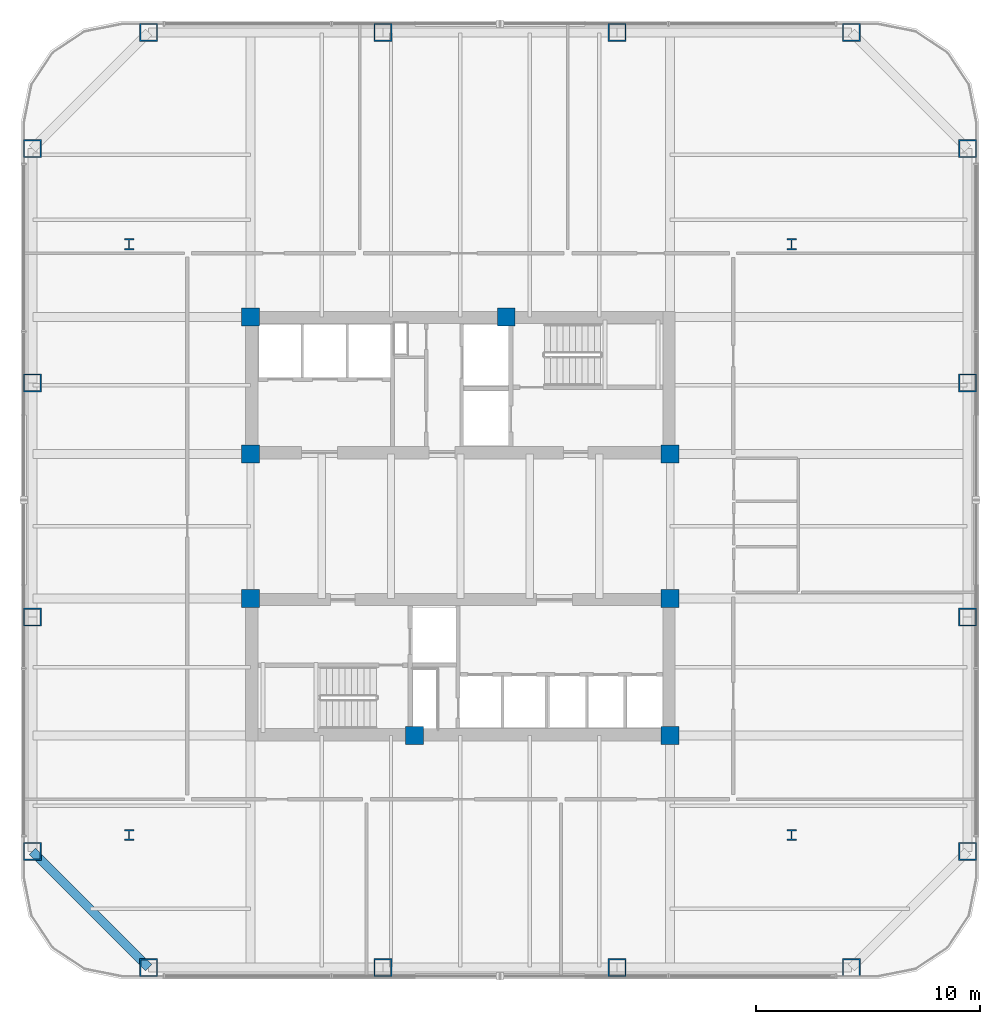
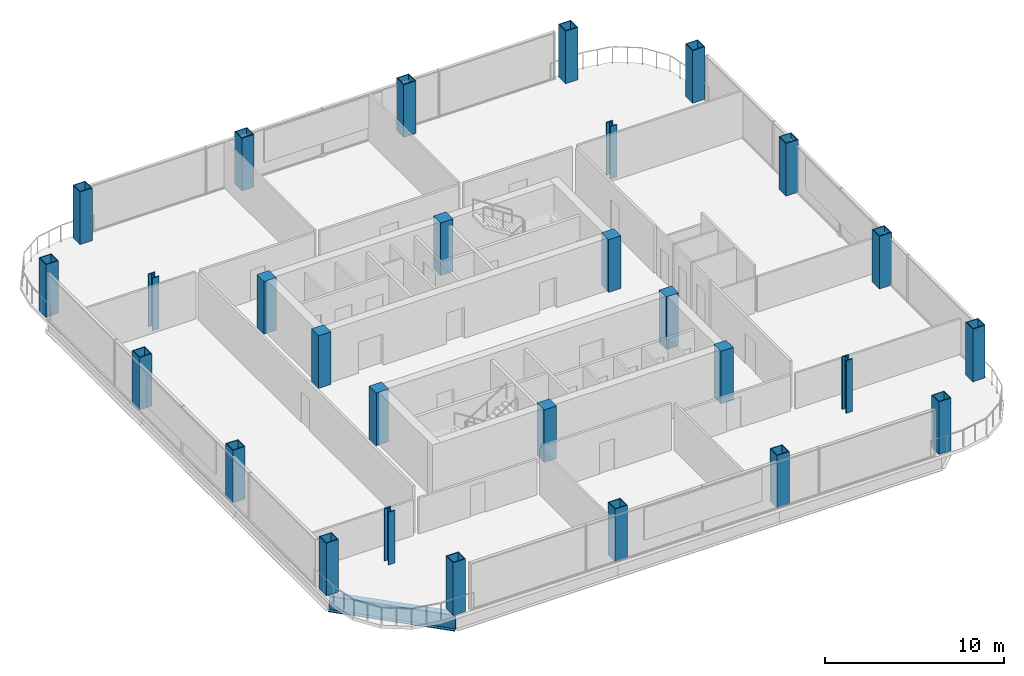
# One storey, part 1 of 24: 28 columns, 1 beam.
"""IFC4 building model written with IfcOpenShell, lengths in metres."""

import ifcopenshell
import ifcopenshell.guid

model = None  # the IFC model being written
_history = None  # IfcOwnerHistory: only IFC2X3 demands one
_inside = {}  # id of a spatial element -> (the spatial element, [elements in it])
_under = {}  # id of a project, library or spatial element -> (it, [spatial elements below it])
_declared = {}  # id of a project -> (the project, [libraries it declares])
_typed = {}  # id of a type object -> (the type object, [elements of that type])
_made_of = {}  # id of a material, layer set ... -> (it, [elements and type objects made of it])


def new_model(schema):
    """Start an empty IFC model of exactly this schema.

    Asked for "IFC4X3", IfcOpenShell would pick the latest addendum, in which some entities
    have other attributes; the version numbers below select the first issue.
    IFC2X3 requires an IfcOwnerHistory on every rooted entity: one is made here for all.
    """
    global model, _history
    if schema == "IFC4X3":
        model = ifcopenshell.file(schema_version=(4, 3, 0, 0))
    else:
        model = ifcopenshell.file(schema=schema)
    _inside.clear()
    _under.clear()
    _declared.clear()
    _typed.clear()
    _made_of.clear()
    _history = None
    if model.schema == "IFC2X3":
        org = make("IfcOrganization", Name="unknown")
        user = make(
            "IfcPersonAndOrganization",
            ThePerson=make("IfcPerson", FamilyName="unknown"),
            TheOrganization=org,
        )
        app = make(
            "IfcApplication",
            ApplicationDeveloper=org,
            Version="unknown",
            ApplicationFullName="unknown",
            ApplicationIdentifier="unknown",
        )
        _history = make(
            "IfcOwnerHistory",
            OwningUser=user,
            OwningApplication=app,
            ChangeAction="ADDED",
            CreationDate=0,
        )
    return model


def make(cls, **values):
    """One entity of the class cls with the attributes given. An attribute that is None is left unset."""
    return model.create_entity(
        cls, **{name: value for name, value in values.items() if value is not None}
    )


def rooted(cls, **values):
    """An entity with a GlobalId (a new one), such as an element, a storey or a relation."""
    return make(cls, GlobalId=ifcopenshell.guid.new(), OwnerHistory=_history, **values)


def si_unit(unit_type, name, prefix=None):
    """IfcSIUnit, for example si_unit("LENGTHUNIT", "METRE", prefix="MILLI")."""
    return make("IfcSIUnit", UnitType=unit_type, Prefix=prefix, Name=name)


def assignment(units):
    """IfcUnitAssignment: the units of a project."""
    return None if units is None else make("IfcUnitAssignment", Units=units)


def point(xyz):
    """IfcCartesianPoint."""
    return None if xyz is None else make("IfcCartesianPoint", Coordinates=xyz)


def direction(xyz):
    """IfcDirection."""
    return None if xyz is None else make("IfcDirection", DirectionRatios=xyz)


def frame(location, z_axis=None, x_axis=None):
    """IfcAxis2Placement3D, a coordinate frame: its origin and axes. An axis left out is left unset."""
    return make(
        "IfcAxis2Placement3D",
        Location=point(location),
        Axis=direction(z_axis),
        RefDirection=direction(x_axis),
    )


def frame_2d(location, x_axis=None):
    """IfcAxis2Placement2D, a coordinate frame in the plane: its origin and x axis."""
    return make(
        "IfcAxis2Placement2D", Location=point(location), RefDirection=direction(x_axis)
    )


def origin():
    """The frame at (0, 0, 0) with its axes left unset."""
    return frame((0.0, 0.0, 0.0))


def origin_2d():
    """The frame at (0, 0) in the plane with its x axis left unset."""
    return frame_2d((0.0, 0.0))


def place(relative_to, where):
    """IfcLocalPlacement: puts the frame where relative to a parent placement (None: the world)."""
    return make(
        "IfcLocalPlacement", PlacementRelTo=relative_to, RelativePlacement=where
    )


def context(
    kind, dimensions, precision=None, world=None, true_north=None, identifier=None
):
    """IfcGeometricRepresentationContext, for example the 3D "Model" context."""
    return make(
        "IfcGeometricRepresentationContext",
        ContextIdentifier=identifier,
        ContextType=kind,
        CoordinateSpaceDimension=dimensions,
        Precision=precision,
        WorldCoordinateSystem=world,
        TrueNorth=true_north,
    )


def subcontext(parent, identifier, kind, view, scale=None):
    """IfcGeometricRepresentationSubContext, for example "Body" below "Model"."""
    return make(
        "IfcGeometricRepresentationSubContext",
        ContextIdentifier=identifier,
        ContextType=kind,
        ParentContext=parent,
        TargetScale=scale,
        TargetView=view,
    )


def project(units=None, contexts=None):
    """IfcProject with its units and contexts."""
    return rooted(
        "IfcProject",
        Name="project",
        RepresentationContexts=contexts,
        UnitsInContext=assignment(units),
    )


def spatial(cls, under=None, at=None, **own):
    """A site, building, storey or space (cls), placed at a placement, below another one or the project."""
    s = rooted(cls, ObjectPlacement=at, **own)
    if under is not None:
        _under.setdefault(under.id(), (under, []))[1].append(s)
    return s


def profile(cls, at=None, kind="AREA", **sizes):
    """A parametric profile (cls). Its sizes go by their IFC names, for example OverallWidth=200.0."""
    return make(cls, ProfileType=kind, Position=at, **sizes)


def rectangle(**sizes):
    """IfcRectangleProfileDef."""
    return profile("IfcRectangleProfileDef", **sizes)


def hollow_rectangle(**sizes):
    """IfcRectangleHollowProfileDef."""
    return profile("IfcRectangleHollowProfileDef", **sizes)


def i_section(**sizes):
    """IfcIShapeProfileDef."""
    return profile("IfcIShapeProfileDef", **sizes)


def extrude(swept, where, along, depth):
    """IfcExtrudedAreaSolid: the profile swept, set in the frame where, extruded along a direction by depth."""
    return make(
        "IfcExtrudedAreaSolid",
        SweptArea=swept,
        Position=where,
        ExtrudedDirection=direction(along),
        Depth=depth,
    )


def shape(context_of_items, identifier, shape_type, items):
    """IfcShapeRepresentation: the items that make up one representation, for example the "Body"."""
    return make(
        "IfcShapeRepresentation",
        ContextOfItems=context_of_items,
        RepresentationIdentifier=identifier,
        RepresentationType=shape_type,
        Items=items,
    )


def material(Name=None, Category=None):
    """IfcMaterial."""
    return make("IfcMaterial", Name=Name, Category=Category)


def material_profile(
    of_material, cross_section, Name=None, Category=None, Priority=None
):
    """IfcMaterialProfile: a cross section and its material."""
    return make(
        "IfcMaterialProfile",
        Name=Name,
        Material=of_material,
        Profile=cross_section,
        Priority=Priority,
        Category=Category,
    )


def profile_set(profiles, Name=None, composite=None):
    """IfcMaterialProfileSet."""
    return make(
        "IfcMaterialProfileSet",
        Name=Name,
        MaterialProfiles=profiles,
        CompositeProfile=composite,
    )


def made_of(thing, what):
    """Note that an element or type object is made of a material, layer set ...; save() writes the relation."""
    if what is not None:
        _made_of.setdefault(what.id(), (what, []))[1].append(thing)
    return thing


def type_object(cls, material=None, **own):
    """A type object (cls), such as IfcWallType, which elements share."""
    return made_of(rooted(cls, **own), material)


def element(
    cls,
    number,
    at=None,
    inside=None,
    cuts=None,
    type_object=None,
    material=None,
    context=None,
    identifier="Body",
    shape_type=None,
    held_by="IfcProductDefinitionShape",
    body=None,
    shapes=None,
    **own,
):
    """One element of the class cls, such as IfcWall. Its Tag is "e" and its number.

    at: its placement. inside: the storey or other place that contains it. cuts: it is an
    opening in that element (IfcRelVoidsElement). A single representation is given by context,
    identifier, shape_type and body (its items); several are given by shapes. held_by: the class
    of the entity that holds the representations. save() writes the other relations.
    """
    e = rooted(cls, Tag="e%d" % number, ObjectPlacement=at, **own)
    if body is not None:
        shapes = [shape(context, identifier, shape_type, body)]
    if shapes is not None:
        e.Representation = make(held_by, Representations=shapes)
    if inside is not None:
        _inside.setdefault(inside.id(), (inside, []))[1].append(e)
    if cuts is not None:
        rooted(
            "IfcRelVoidsElement", RelatingBuildingElement=cuts, RelatedOpeningElement=e
        )
    if type_object is not None:
        _typed.setdefault(type_object.id(), (type_object, []))[1].append(e)
    return made_of(e, material)


def aggregate(whole, parts):
    """IfcRelAggregates: a whole, such as a stair, and the parts it consists of."""
    return rooted("IfcRelAggregates", RelatingObject=whole, RelatedObjects=parts)


def save(model, path):
    """Write the relations noted so far, then the file.

    IfcRelAggregates (storeys below a building ...), IfcRelContainedInSpatialStructure (elements
    in a storey), IfcRelDefinesByType, IfcRelAssociatesMaterial and IfcRelDeclares: one each for
    every whole, place, type object, material and project.
    """
    for whole, parts in _under.values():
        aggregate(whole, parts)
    for where, things in _inside.values():
        rooted(
            "IfcRelContainedInSpatialStructure",
            RelatedElements=things,
            RelatingStructure=where,
        )
    for kind, things in _typed.values():
        rooted("IfcRelDefinesByType", RelatedObjects=things, RelatingType=kind)
    for what, things in _made_of.values():
        rooted("IfcRelAssociatesMaterial", RelatedObjects=things, RelatingMaterial=what)
    for by, libraries in _declared.values():
        rooted("IfcRelDeclares", RelatingContext=by, RelatedDefinitions=libraries)
    model.write(path)


model = new_model("IFC4")

# Units and contexts
model_context = context("Model", 3, precision=1e-05, world=origin(), true_north=direction((0.0, 1.0)))
body_context = subcontext(model_context, "Body", "Model", "MODEL_VIEW")
ifc_project = project(units=[si_unit("LENGTHUNIT", "METRE"), si_unit("AREAUNIT", "SQUARE_METRE"), si_unit("VOLUMEUNIT", "CUBIC_METRE"), si_unit("PLANEANGLEUNIT", "RADIAN"), si_unit("MASSUNIT", "GRAM", prefix="KILO")], contexts=[model_context])

# Site, building, storey
site_placement = place(None, origin())
site = spatial("IfcSite", under=ifc_project, at=site_placement, CompositionType="ELEMENT")
building_placement = place(site_placement, origin())
building = spatial("IfcBuilding", under=site, at=building_placement, Name="Qhalaya Broadcast Tower", CompositionType="ELEMENT")
storey_placement = place(building_placement, frame((0.0, 0.0, 61.5)))
storey = spatial("IfcBuildingStorey", under=building, at=storey_placement, Name="L17", CompositionType="ELEMENT", Elevation=61.5)

# Columns
ifc_material_1 = material(Name="Concrete C50/60", Category="concrete")
ifc_material_profile_1 = material_profile(ifc_material_1, rectangle(XDim=0.800048828125, YDim=0.800048828125, at=origin_2d()), Name="RC-COL 800x800")
ifc_profile_set_1 = profile_set([ifc_material_profile_1], Name="Concrete C50/60")
column_type_1 = type_object("IfcColumnType", Name="RC Upper Column C10", PredefinedType="COLUMN", material=ifc_profile_set_1)
for number, where, z_axis, x_axis, name in (
    (1, (-9.375, 9.949951171875, 0.0), (0.0, 0.0, 1.0), (1.0, 0.0, 0.0), "L17 Column COL-CC1"),
    (2, (2.050048828125, 9.949951171875, 0.0), (0.0, 0.0, 1.0), (1.0, 0.0, 0.0), "L17 Column COL-CC2"),
    (3, (-9.375, 3.824951171875, 0.0), (0.0, 0.0, 1.0), (1.0, 0.0, 0.0), "L17 Column COL-CC3"),
    (4, (9.375, 3.824951171875, 0.0), (0.0, 0.0, 1.0), (1.0, 0.0, 0.0), "L17 Column COL-CC4"),
    (5, (-9.375, -2.625, 0.0), (0.0, 0.0, 1.0), (1.0, 0.0, 0.0), "L17 Column COL-CC5"),
    (6, (9.375, -2.625, 0.0), (0.0, 0.0, 1.0), (1.0, 0.0, 0.0), "L17 Column COL-CC6"),
    (7, (-2.050048828125, -8.75, 0.0), (0.0, 0.0, 1.0), (1.0, 0.0, 0.0), "L17 Column COL-CC7"),
    (8, (9.375, -8.75, 0.0), (0.0, 0.0, 1.0), (1.0, 0.0, 0.0), "L17 Column COL-CC8"),
):
    element("IfcColumn", number, at=place(storey_placement, frame(where, z_axis=z_axis, x_axis=x_axis)), inside=storey, type_object=column_type_1, Name=name, PredefinedType="COLUMN", context=body_context, shape_type="SweptSolid", body=[
        extrude(rectangle(XDim=0.800048828125, YDim=0.800048828125, at=origin_2d()), origin(), (0.0, 0.0, 1.0), 3.60009765625),
    ])
ifc_material_2 = material(Name="Structural Steel ASTM A992 Grade 50", Category="steel")
ifc_material_profile_2 = material_profile(ifc_material_2, i_section(OverallWidth=0.41796875, OverallDepth=0.510009765625, WebThickness=0.0419921875, FlangeThickness=0.067626953125, at=origin_2d()), Name="W14X370")
ifc_profile_set_2 = profile_set([ifc_material_profile_2], Name="Structural Steel ASTM A992 Grade 50")
column_type_2 = type_object("IfcColumnType", Name="Rolled Gravity Column C06", PredefinedType="COLUMN", material=ifc_profile_set_2)
for number, where, z_axis, x_axis, name in (
    (9, (-14.800048828125, -13.199951171875, 0.0), (0.0, 0.0, 1.0), (1.0, 0.0, 0.0), "L17 Column COL-GR1"),
    (10, (14.800048828125, -13.199951171875, 0.0), (0.0, 0.0, 1.0), (1.0, 0.0, 0.0), "L17 Column COL-GR2"),
    (11, (-14.800048828125, 13.199951171875, 0.0), (0.0, 0.0, 1.0), (1.0, 0.0, 0.0), "L17 Column COL-GR3"),
    (12, (14.800048828125, 13.199951171875, 0.0), (0.0, 0.0, 1.0), (1.0, 0.0, 0.0), "L17 Column COL-GR4"),
):
    element("IfcColumn", number, at=place(storey_placement, frame(where, z_axis=z_axis, x_axis=x_axis)), inside=storey, type_object=column_type_2, Name=name, PredefinedType="COLUMN", context=body_context, shape_type="SweptSolid", body=[
        extrude(i_section(OverallWidth=0.41796875, OverallDepth=0.510009765625, WebThickness=0.0419921875, FlangeThickness=0.067626953125, at=origin_2d()), origin(), (0.0, 0.0, 1.0), 3.60009765625),
    ])
ifc_material_3 = material(Name="Structural Steel ASTM A572 Grade 50", Category="steel")
ifc_material_profile_3 = material_profile(ifc_material_3, hollow_rectangle(XDim=0.800048828125, YDim=0.800048828125, WallThickness=0.050048828125, at=origin_2d()), Name="BOX 800x800x50")
ifc_profile_set_3 = profile_set([ifc_material_profile_3], Name="Structural Steel ASTM A572 Grade 50")
column_type_3 = type_object("IfcColumnType", Name="Steel Box Column C03", PredefinedType="COLUMN", material=ifc_profile_set_3)
for number, where, z_axis, x_axis, name in (
    (13, (-13.929931640625, -19.1298828125, 0.0), (0.0, 0.0, 1.0), (1.0, 0.0, 0.0), "L17 Column COL-NK01"),
    (14, (-3.46337890625, -19.1298828125, 0.0), (0.0, 0.0, 1.0), (1.0, 0.0, 0.0), "L17 Column COL-NK02"),
    (15, (7.00341796875, -19.1298828125, 0.0), (0.0, 0.0, 1.0), (1.0, 0.0, 0.0), "L17 Column COL-NK03"),
    (16, (17.469970703125, -19.1298828125, 0.0), (0.0, 0.0, 1.0), (1.0, 0.0, 0.0), "L17 Column COL-NK04"),
    (17, (22.669921875, -13.929931640625, 0.0), (0.0, 0.0, 1.0), (0.0, 1.0, 0.0), "L17 Column COL-NK05"),
    (18, (22.669921875, -3.46337890625, 0.0), (0.0, 0.0, 1.0), (0.0, 1.0, 0.0), "L17 Column COL-NK06"),
    (19, (22.669921875, 7.00341796875, 0.0), (0.0, 0.0, 1.0), (0.0, 1.0, 0.0), "L17 Column COL-NK07"),
    (20, (22.669921875, 17.469970703125, 0.0), (0.0, 0.0, 1.0), (0.0, 1.0, 0.0), "L17 Column COL-NK08"),
    (21, (17.469970703125, 22.669921875, 0.0), (0.0, 0.0, 1.0), (1.0, 0.0, 0.0), "L17 Column COL-NK09"),
    (22, (7.00341796875, 22.669921875, 0.0), (0.0, 0.0, 1.0), (1.0, 0.0, 0.0), "L17 Column COL-NK10"),
    (23, (-3.46337890625, 22.669921875, 0.0), (0.0, 0.0, 1.0), (1.0, 0.0, 0.0), "L17 Column COL-NK11"),
    (24, (-13.929931640625, 22.669921875, 0.0), (0.0, 0.0, 1.0), (1.0, 0.0, 0.0), "L17 Column COL-NK12"),
    (25, (-19.1298828125, 17.469970703125, 0.0), (0.0, 0.0, 1.0), (0.0, 1.0, 0.0), "L17 Column COL-NK13"),
    (26, (-19.1298828125, 7.00341796875, 0.0), (0.0, 0.0, 1.0), (0.0, 1.0, 0.0), "L17 Column COL-NK14"),
    (27, (-19.1298828125, -3.46337890625, 0.0), (0.0, 0.0, 1.0), (0.0, 1.0, 0.0), "L17 Column COL-NK15"),
    (28, (-19.1298828125, -13.929931640625, 0.0), (0.0, 0.0, 1.0), (0.0, 1.0, 0.0), "L17 Column COL-NK16"),
):
    element("IfcColumn", number, at=place(storey_placement, frame(where, z_axis=z_axis, x_axis=x_axis)), inside=storey, type_object=column_type_3, Name=name, PredefinedType="COLUMN", context=body_context, shape_type="SweptSolid", body=[
        extrude(hollow_rectangle(XDim=0.800048828125, YDim=0.800048828125, WallThickness=0.050048828125, at=origin_2d()), origin(), (0.0, 0.0, 1.0), 3.60009765625),
    ])

# Beam
ifc_material_profile_4 = material_profile(ifc_material_2, i_section(OverallWidth=0.404052734375, OverallDepth=1.117919921875, WebThickness=0.026123046875, FlangeThickness=0.044921875, at=origin_2d()), Name="W44X335")
ifc_profile_set_4 = profile_set([ifc_material_profile_4], Name="Structural Steel ASTM A992 Grade 50")
beam_type = type_object("IfcBeamType", Name="Podium Long-Span Primary Girder PG1", PredefinedType="USERDEFINED", material=ifc_profile_set_4)
beam_placement = place(storey_placement, frame((-19.1298828125, -13.929931640625, -0.779052734375), z_axis=(0.707106781187, -0.707106781187, 0.0), x_axis=(0.707106781187, 0.707106781187, 0.0)))
element("IfcBeam", 29, at=beam_placement, inside=storey, type_object=beam_type, Name="L17 PG1 L17-SPR-16", ObjectType="GIRDER", PredefinedType="USERDEFINED", context=body_context, shape_type="SweptSolid", body=[
    extrude(i_section(OverallWidth=0.404052734375, OverallDepth=1.117919921875, WebThickness=0.026123046875, FlangeThickness=0.044921875, at=origin_2d()), origin(), (0.0, 0.0, 1.0), 7.353759765625),
])

save(model, "model.ifc")
